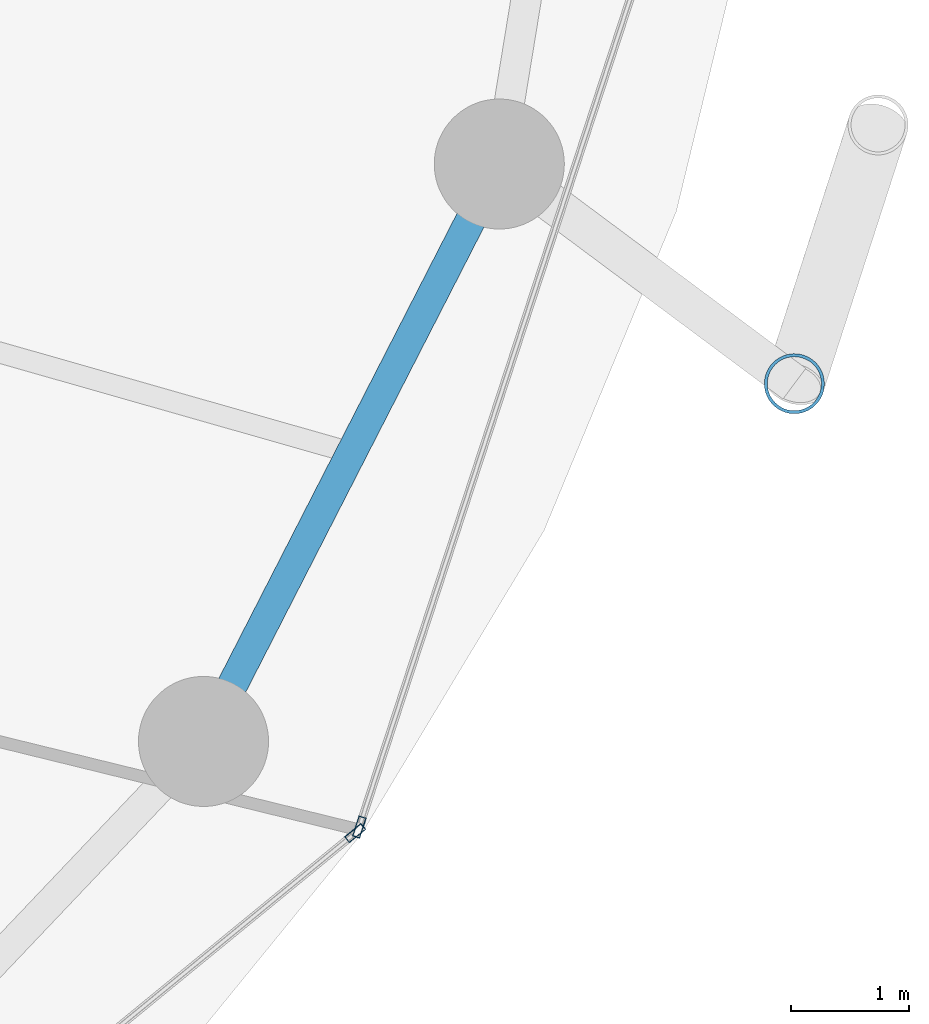
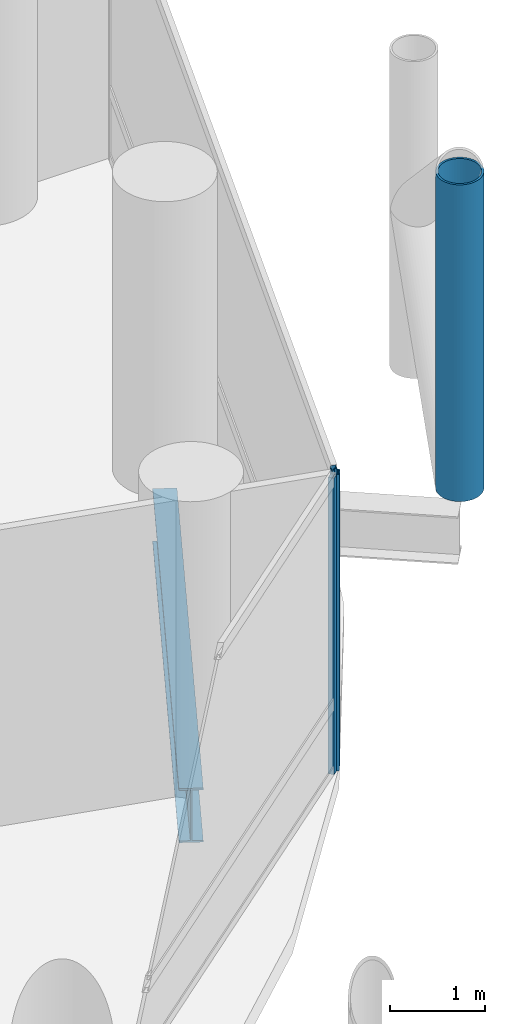
# One storey, part 10 of 24: 3 members, 1 beam, 2 elements without a shape of their own.
"""IFC4 building model written with IfcOpenShell, lengths in metres."""

from ifc_helpers import new_model, si_unit, direction, frame, origin, origin_2d, place, context, subcontext, project, spatial, hollow_rectangle, hollow_circle, i_section, extrude, material, layer, layer_set, material_profile, profile_set, type_object, element, aggregate, save


model = new_model("IFC4")

# Units and contexts
model_context = context("Model", 3, precision=1e-05, world=origin(), true_north=direction((0.0, 1.0)))
body_context = subcontext(model_context, "Body", "Model", "MODEL_VIEW")
ifc_project = project(units=[si_unit("LENGTHUNIT", "METRE"), si_unit("AREAUNIT", "SQUARE_METRE"), si_unit("VOLUMEUNIT", "CUBIC_METRE"), si_unit("PLANEANGLEUNIT", "RADIAN"), si_unit("MASSUNIT", "GRAM", prefix="KILO")], contexts=[model_context])

# Site, building, storey
site_placement = place(None, origin())
site = spatial("IfcSite", under=ifc_project, at=site_placement, CompositionType="ELEMENT")
building_placement = place(site_placement, origin())
building = spatial("IfcBuilding", under=site, at=building_placement, Name="Nuhasar Tower", CompositionType="ELEMENT")
storey_placement = place(building_placement, frame((0.0, 0.0, 41.25)))
storey = spatial("IfcBuildingStorey", under=building, at=storey_placement, Name="L09", CompositionType="ELEMENT", Elevation=41.25)

# Beam
ifc_material_1 = material(Name="Steel S355", Category="steel")
ifc_material_profile_1 = material_profile(ifc_material_1, i_section(OverallWidth=0.256103515625, OverallDepth=0.693115234375, WebThickness=0.014404296875, FlangeThickness=0.023681640625, at=origin_2d()), Name="W27X114")
ifc_profile_set_1 = profile_set([ifc_material_profile_1], Name="Steel S355")
beam_type = type_object("IfcBeamType", Name="BM-RING-W27X114", PredefinedType="SPANDREL", material=ifc_profile_set_1)
beam_placement = place(storey_placement, frame((60.694091796875, 16.675048828125, -0.60595703125), z_axis=(0.455930023905, 0.890015625314, 0.0), x_axis=(-0.890015625314, 0.455930023905, 0.0)))
element("IfcBeam", 1, at=beam_placement, inside=storey, type_object=beam_type, Name="L09 Perimeter Ring Spandrel 23", PredefinedType="SPANDREL", context=body_context, shape_type="SweptSolid", body=[
    extrude(i_section(OverallWidth=0.256103515625, OverallDepth=0.693115234375, WebThickness=0.014404296875, FlangeThickness=0.023681640625, at=origin_2d()), origin(), (0.0, 0.0, 1.0), 5.487548828125),
])

# Curtain wall, member
ifc_material_2 = material(Name="Aluminium 6063-T6", Category="aluminium")
ifc_layer = layer(ifc_material_2, 0.199951171875)
ifc_layer_set = layer_set([ifc_layer], Name="Aluminium 6063-T6")
curtain_wall_type = type_object("IfcCurtainWallType", Name="CW-Z1-OFF", PredefinedType="NOTDEFINED", material=ifc_layer_set)
curtain_wall_1_placement = place(storey_placement, origin())
curtain_wall_1 = element("IfcCurtainWall", 2, at=curtain_wall_1_placement, inside=storey, type_object=curtain_wall_type, Name="L09 Unitised Curtain Wall 11", PredefinedType="NOTDEFINED")
ifc_material_profile_2 = material_profile(ifc_material_2, hollow_rectangle(XDim=0.06494140625, YDim=0.179931640625, WallThickness=0.0048828125, at=origin_2d()), Name="CWM-2")
ifc_profile_set_2 = profile_set([ifc_material_profile_2], Name="Aluminium 6063-T6")
member_type_1 = type_object("IfcMemberType", Name="CW-MUL-S2", PredefinedType="MULLION", material=ifc_profile_set_2)
member_1_placement = place(storey_placement, frame((61.976806640625, 15.8994140625, 0.0), z_axis=(0.0, 0.0, 1.0), x_axis=(-0.633744593376, 0.773542364946, 0.0)))
member_1 = element("IfcMember", 3, at=member_1_placement, type_object=member_type_1, Name="CW-Z1 mullion 2", PredefinedType="MULLION", context=body_context, shape_type="SweptSolid", body=[
    extrude(hollow_rectangle(XDim=0.06494140625, YDim=0.179931640625, WallThickness=0.0048828125, at=origin_2d()), origin(), (0.0, 0.0, 1.0), 3.7900390625),
])
aggregate(curtain_wall_1, [member_1])

curtain_wall_2_placement = place(storey_placement, origin())
curtain_wall_2 = element("IfcCurtainWall", 4, at=curtain_wall_2_placement, inside=storey, type_object=curtain_wall_type, Name="L09 Unitised Curtain Wall 12", PredefinedType="NOTDEFINED")
member_2_placement = place(storey_placement, frame((62.01220703125, 15.950927734375, 0.0), z_axis=(0.0, 0.0, 1.0), x_axis=(-0.950467534571, 0.310823849997, 0.0)))
member_2 = element("IfcMember", 5, at=member_2_placement, type_object=member_type_1, Name="CW-Z1 mullion 1", PredefinedType="MULLION", context=body_context, shape_type="SweptSolid", body=[
    extrude(hollow_rectangle(XDim=0.06494140625, YDim=0.179931640625, WallThickness=0.0048828125, at=origin_2d()), origin(), (0.0, 0.0, 1.0), 3.7900390625),
])
aggregate(curtain_wall_2, [member_2])

# Member
ifc_material_3 = material(Name="Steel S460", Category="steel")
ifc_material_profile_3 = material_profile(ifc_material_3, hollow_circle(Radius=0.25390625, WallThickness=0.025390625, at=origin_2d()), Name="HSS508X25.4")
ifc_profile_set_3 = profile_set([ifc_material_profile_3], Name="Steel S460")
member_type_2 = type_object("IfcMemberType", Name="EXO-BRONZE-508", PredefinedType="BRACE", material=ifc_profile_set_3)
member_3_placement = place(storey_placement, frame((65.69189453125, 19.700927734375, 0.0), z_axis=(0.0, 0.0, 1.0), x_axis=(1.0, 0.0, 0.0)))
element("IfcMember", 6, at=member_3_placement, inside=storey, type_object=member_type_2, Name="L09 Exoskeleton Chord Column EC-12A", PredefinedType="BRACE", context=body_context, shape_type="SweptSolid", body=[
    extrude(hollow_circle(Radius=0.25390625, WallThickness=0.025390625, at=origin_2d()), origin(), (0.0, 0.0, 1.0), 4.050048828125),
])

save(model, "model.ifc")
